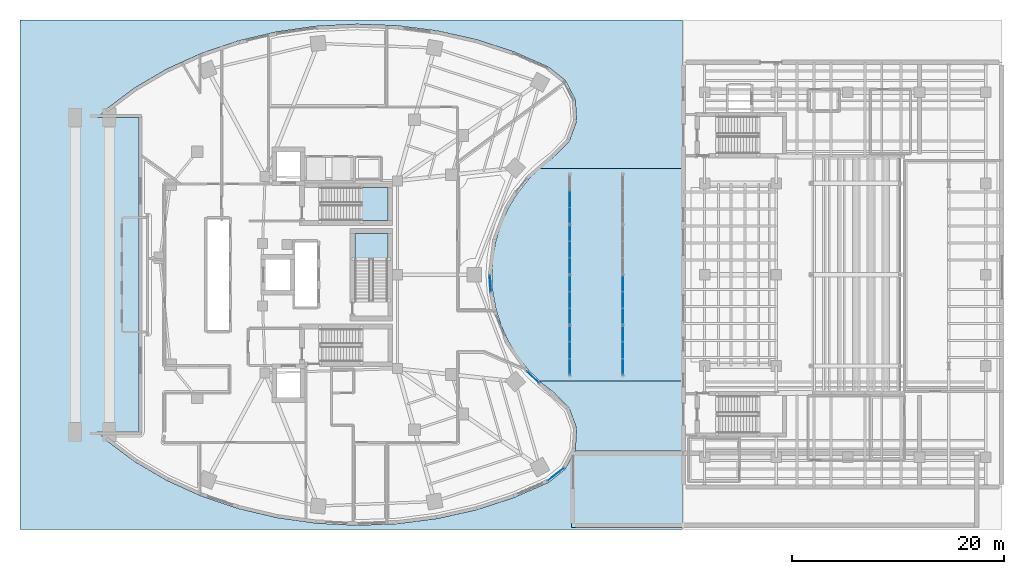
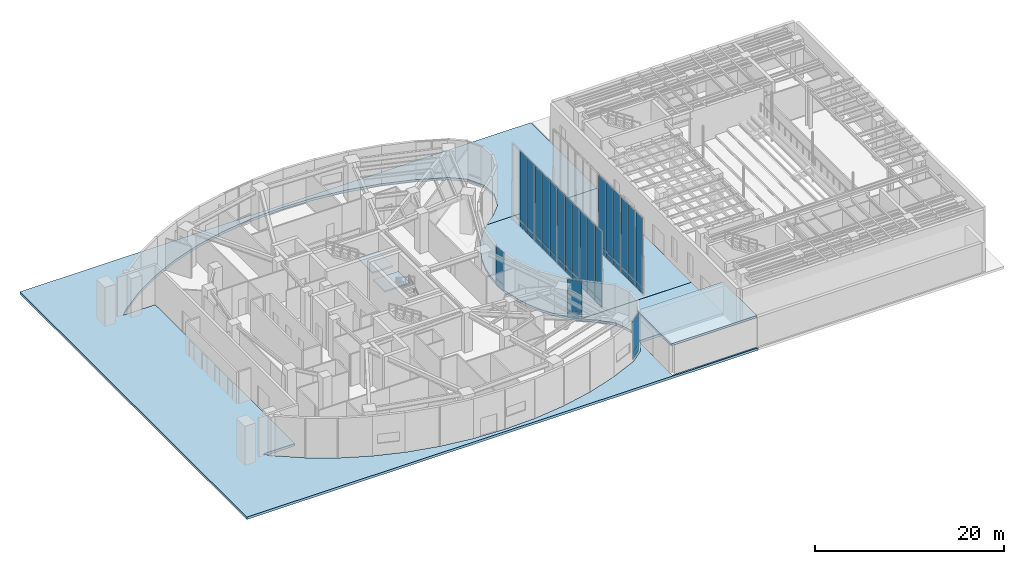
# One storey, part 14 of 28: 40 plates, 6 slabs, 11 elements without a shape of their own.
"""IFC4 building model written with IfcOpenShell, lengths in metres."""

from ifc_helpers import new_model, si_unit, direction, frame, origin, origin_2d, place, context, subcontext, project, spatial, polyline, rectangle, outline, extrude, material, layer, layer_set, type_object, element, aggregate, save


model = new_model("IFC4")

# Units and contexts
model_context = context("Model", 3, precision=1e-05, world=origin(), true_north=direction((0.0, 1.0)))
body_context = subcontext(model_context, "Body", "Model", "MODEL_VIEW")
ifc_project = project(units=[si_unit("LENGTHUNIT", "METRE"), si_unit("AREAUNIT", "SQUARE_METRE"), si_unit("VOLUMEUNIT", "CUBIC_METRE"), si_unit("PLANEANGLEUNIT", "RADIAN"), si_unit("MASSUNIT", "GRAM", prefix="KILO")], contexts=[model_context])

# Site, building, storey
site_placement = place(None, origin())
site = spatial("IfcSite", under=ifc_project, at=site_placement, CompositionType="ELEMENT")
building_placement = place(site_placement, origin())
building = spatial("IfcBuilding", under=site, at=building_placement, Name="Korentha Bioscience Tower", CompositionType="ELEMENT")
storey_placement = place(building_placement, origin())
storey = spatial("IfcBuildingStorey", under=building, at=storey_placement, Name="L00", CompositionType="ELEMENT", Elevation=0.0)

# Curtain wall, plates
ifc_material_1 = material(Name="Stone-Clad Aluminium Frame", Category="masonry")
ifc_layer_1 = layer(ifc_material_1, 0.219970703125, Name="Stone-Clad Aluminium Frame")
ifc_layer_set_1 = layer_set([ifc_layer_1], Name="Stone-Clad Aluminium Frame (CW-P1)")
curtain_wall_type_1 = type_object("IfcCurtainWallType", Name="Podium Double-Height Stone-Mullion Curtain Wall CW-P1", PredefinedType="USERDEFINED", material=ifc_layer_set_1)
curtain_wall_1_placement = place(storey_placement, origin())
curtain_wall_1 = element("IfcCurtainWall", 1, at=curtain_wall_1_placement, inside=storey, type_object=curtain_wall_type_1, Name="L00 Curtain Wall 37", ObjectType="UNITISED", PredefinedType="USERDEFINED")
ifc_material_2 = material(Name="Triple-Glazed Low-E Insulated Glass", Category="glass")
ifc_layer_2 = layer(ifc_material_2, 0.0439453125, Name="Triple-Glazed Low-E Insulated Glass")
ifc_layer_set_2 = layer_set([ifc_layer_2], Name="Triple-Glazed Low-E Insulated Glass (GL-44)")
plate_type = type_object("IfcPlateType", Name="Glazed Panel 44mm", PredefinedType="CURTAIN_PANEL", material=ifc_layer_set_2)
plate_1_placement = place(storey_placement, frame((52.4755859375, 8.19140625, 0.08984375), z_axis=(0.0, 0.0, 1.0), x_axis=(0.782287851332, 0.62291710336, 0.0)))
plate_1 = element("IfcPlate", 2, at=plate_1_placement, type_object=plate_type, Name="CW-L00-37 Bay 1 Glazed Panel 1", PredefinedType="CURTAIN_PANEL", context=body_context, shape_type="SweptSolid", body=[
    extrude(rectangle(XDim=1.927734375, YDim=0.0439453125, at=origin_2d()), origin(), (0.0, 0.0, 1.0), 0.715087890625),
])
plate_2_placement = place(storey_placement, frame((52.4755859375, 8.19140625, 0.89501953125), z_axis=(0.0, 0.0, 1.0), x_axis=(0.782287851332, 0.62291710336, 0.0)))
plate_2 = element("IfcPlate", 3, at=plate_2_placement, type_object=plate_type, Name="CW-L00-37 Bay 1 Glazed Panel 2", PredefinedType="CURTAIN_PANEL", context=body_context, shape_type="SweptSolid", body=[
    extrude(rectangle(XDim=1.927734375, YDim=0.0439453125, at=origin_2d()), origin(), (0.0, 0.0, 1.0), 4.114990234375),
])
aggregate(curtain_wall_1, [plate_1, plate_2])

curtain_wall_2_placement = place(storey_placement, origin())
curtain_wall_2 = element("IfcCurtainWall", 4, at=curtain_wall_2_placement, inside=storey, type_object=curtain_wall_type_1, Name="L00 Curtain Wall 43", ObjectType="UNITISED", PredefinedType="USERDEFINED")
plate_3_placement = place(storey_placement, frame((50.333251953125, 17.335693359375, 0.08984375), z_axis=(0.0, 0.0, 1.0), x_axis=(-0.713279246754, 0.700879958445, 0.0)))
plate_3 = element("IfcPlate", 5, at=plate_3_placement, type_object=plate_type, Name="CW-L00-43 Bay 1 Glazed Panel 1", PredefinedType="CURTAIN_PANEL", context=body_context, shape_type="SweptSolid", body=[
    extrude(rectangle(XDim=1.537841796875, YDim=0.0439453125, at=origin_2d()), origin(), (0.0, 0.0, 1.0), 0.715087890625),
])
plate_4_placement = place(storey_placement, frame((50.333251953125, 17.335693359375, 0.89501953125), z_axis=(0.0, 0.0, 1.0), x_axis=(-0.713279246754, 0.700879958445, 0.0)))
plate_4 = element("IfcPlate", 6, at=plate_4_placement, type_object=plate_type, Name="CW-L00-43 Bay 1 Glazed Panel 2", PredefinedType="CURTAIN_PANEL", context=body_context, shape_type="SweptSolid", body=[
    extrude(rectangle(XDim=1.537841796875, YDim=0.0439453125, at=origin_2d()), origin(), (0.0, 0.0, 1.0), 4.114990234375),
])
aggregate(curtain_wall_2, [plate_3, plate_4])

curtain_wall_3_placement = place(storey_placement, origin())
curtain_wall_3 = element("IfcCurtainWall", 7, at=curtain_wall_3_placement, inside=storey, type_object=curtain_wall_type_1, Name="L00 Curtain Wall 49", ObjectType="UNITISED", PredefinedType="USERDEFINED")
plate_5_placement = place(storey_placement, frame((46.305908203125, 26.1728515625, 0.08984375), z_axis=(0.0, 0.0, 1.0), x_axis=(-0.061008272998, 0.998137260413, 0.0)))
plate_5 = element("IfcPlate", 8, at=plate_5_placement, type_object=plate_type, Name="CW-L00-49 Bay 1 Glazed Panel 1", PredefinedType="CURTAIN_PANEL", context=body_context, shape_type="SweptSolid", body=[
    extrude(rectangle(XDim=1.537841796875, YDim=0.0439453125, at=origin_2d()), origin(), (0.0, 0.0, 1.0), 0.715087890625),
])
plate_6_placement = place(storey_placement, frame((46.305908203125, 26.1728515625, 0.89501953125), z_axis=(0.0, 0.0, 1.0), x_axis=(-0.061008272998, 0.998137260413, 0.0)))
plate_6 = element("IfcPlate", 9, at=plate_6_placement, type_object=plate_type, Name="CW-L00-49 Bay 1 Glazed Panel 2", PredefinedType="CURTAIN_PANEL", context=body_context, shape_type="SweptSolid", body=[
    extrude(rectangle(XDim=1.537841796875, YDim=0.0439453125, at=origin_2d()), origin(), (0.0, 0.0, 1.0), 4.114990234375),
])
aggregate(curtain_wall_3, [plate_5, plate_6])

ifc_material_3 = material(Name="Painted Steel-Aluminium Mullion System", Category="steel")
ifc_layer_3 = layer(ifc_material_3, 0.219970703125, Name="Painted Steel-Aluminium Mullion System")
ifc_layer_set_3 = layer_set([ifc_layer_3], Name="Painted Steel-Aluminium Mullion System (CW-A1)")
curtain_wall_type_2 = type_object("IfcCurtainWallType", Name="Covered Public Arcade Glazed Wall CW-A1", PredefinedType="USERDEFINED", material=ifc_layer_set_3)
curtain_wall_4_placement = place(storey_placement, origin())
curtain_wall_4 = element("IfcCurtainWall", 10, at=curtain_wall_4_placement, inside=storey, type_object=curtain_wall_type_2, Name="Covered Arcade Curtain Wall E-1", ObjectType="ARCADE_GLAZING", PredefinedType="USERDEFINED")
plate_7_placement = place(storey_placement, frame((58.800048828125, 18.314208984375, 0.08984375), z_axis=(0.0, 0.0, 1.0), x_axis=(0.0, 1.0, 0.0)))
plate_7 = element("IfcPlate", 11, at=plate_7_placement, type_object=plate_type, Name="CW-ARC-E-1 Bay 1 Glazed Panel 1", PredefinedType="CURTAIN_PANEL", context=body_context, shape_type="SweptSolid", body=[
    extrude(rectangle(XDim=1.4482421875, YDim=0.0439453125, at=origin_2d()), origin(), (0.0, 0.0, 1.0), 0.715087890625),
])
plate_8_placement = place(storey_placement, frame((58.800048828125, 18.314208984375, 0.89501953125), z_axis=(0.0, 0.0, 1.0), x_axis=(0.0, 1.0, 0.0)))
plate_8 = element("IfcPlate", 12, at=plate_8_placement, type_object=plate_type, Name="CW-ARC-E-1 Bay 1 Glazed Panel 2", PredefinedType="CURTAIN_PANEL", context=body_context, shape_type="SweptSolid", body=[
    extrude(rectangle(XDim=1.4482421875, YDim=0.0439453125, at=origin_2d()), origin(), (0.0, 0.0, 1.0), 8.97509765625),
])
plate_9_placement = place(storey_placement, frame((58.800048828125, 19.875, 0.08984375), z_axis=(0.0, 0.0, 1.0), x_axis=(0.0, 1.0, 0.0)))
plate_9 = element("IfcPlate", 13, at=plate_9_placement, type_object=plate_type, Name="CW-ARC-E-1 Bay 2 Glazed Panel 1", PredefinedType="CURTAIN_PANEL", context=body_context, shape_type="SweptSolid", body=[
    extrude(rectangle(XDim=1.493408203125, YDim=0.0439453125, at=origin_2d()), origin(), (0.0, 0.0, 1.0), 0.715087890625),
])
plate_10_placement = place(storey_placement, frame((58.800048828125, 19.875, 0.89501953125), z_axis=(0.0, 0.0, 1.0), x_axis=(0.0, 1.0, 0.0)))
plate_10 = element("IfcPlate", 14, at=plate_10_placement, type_object=plate_type, Name="CW-ARC-E-1 Bay 2 Glazed Panel 2", PredefinedType="CURTAIN_PANEL", context=body_context, shape_type="SweptSolid", body=[
    extrude(rectangle(XDim=1.493408203125, YDim=0.0439453125, at=origin_2d()), origin(), (0.0, 0.0, 1.0), 8.97509765625),
])
plate_11_placement = place(storey_placement, frame((58.800048828125, 21.435791015625, 0.08984375), z_axis=(0.0, 0.0, 1.0), x_axis=(0.0, 1.0, 0.0)))
plate_11 = element("IfcPlate", 15, at=plate_11_placement, type_object=plate_type, Name="CW-ARC-E-1 Bay 3 Glazed Panel 1", PredefinedType="CURTAIN_PANEL", context=body_context, shape_type="SweptSolid", body=[
    extrude(rectangle(XDim=1.4482421875, YDim=0.0439453125, at=origin_2d()), origin(), (0.0, 0.0, 1.0), 0.715087890625),
])
plate_12_placement = place(storey_placement, frame((58.800048828125, 21.435791015625, 0.89501953125), z_axis=(0.0, 0.0, 1.0), x_axis=(0.0, 1.0, 0.0)))
plate_12 = element("IfcPlate", 16, at=plate_12_placement, type_object=plate_type, Name="CW-ARC-E-1 Bay 3 Glazed Panel 2", PredefinedType="CURTAIN_PANEL", context=body_context, shape_type="SweptSolid", body=[
    extrude(rectangle(XDim=1.4482421875, YDim=0.0439453125, at=origin_2d()), origin(), (0.0, 0.0, 1.0), 8.97509765625),
])
aggregate(curtain_wall_4, [plate_7, plate_8, plate_9, plate_10, plate_11, plate_12])

curtain_wall_5_placement = place(storey_placement, origin())
curtain_wall_5 = element("IfcCurtainWall", 17, at=curtain_wall_5_placement, inside=storey, type_object=curtain_wall_type_2, Name="Covered Arcade Curtain Wall W-1", ObjectType="ARCADE_GLAZING", PredefinedType="USERDEFINED")
plate_13_placement = place(storey_placement, frame((53.800048828125, 18.314208984375, 0.08984375), z_axis=(0.0, 0.0, 1.0), x_axis=(0.0, 1.0, 0.0)))
plate_13 = element("IfcPlate", 18, at=plate_13_placement, type_object=plate_type, Name="CW-ARC-W-1 Bay 1 Glazed Panel 1", PredefinedType="CURTAIN_PANEL", context=body_context, shape_type="SweptSolid", body=[
    extrude(rectangle(XDim=1.4482421875, YDim=0.0439453125, at=origin_2d()), origin(), (0.0, 0.0, 1.0), 0.715087890625),
])
plate_14_placement = place(storey_placement, frame((53.800048828125, 18.314208984375, 0.89501953125), z_axis=(0.0, 0.0, 1.0), x_axis=(0.0, 1.0, 0.0)))
plate_14 = element("IfcPlate", 19, at=plate_14_placement, type_object=plate_type, Name="CW-ARC-W-1 Bay 1 Glazed Panel 2", PredefinedType="CURTAIN_PANEL", context=body_context, shape_type="SweptSolid", body=[
    extrude(rectangle(XDim=1.4482421875, YDim=0.0439453125, at=origin_2d()), origin(), (0.0, 0.0, 1.0), 8.97509765625),
])
plate_15_placement = place(storey_placement, frame((53.800048828125, 19.875, 0.08984375), z_axis=(0.0, 0.0, 1.0), x_axis=(0.0, 1.0, 0.0)))
plate_15 = element("IfcPlate", 20, at=plate_15_placement, type_object=plate_type, Name="CW-ARC-W-1 Bay 2 Glazed Panel 1", PredefinedType="CURTAIN_PANEL", context=body_context, shape_type="SweptSolid", body=[
    extrude(rectangle(XDim=1.493408203125, YDim=0.0439453125, at=origin_2d()), origin(), (0.0, 0.0, 1.0), 0.715087890625),
])
plate_16_placement = place(storey_placement, frame((53.800048828125, 19.875, 0.89501953125), z_axis=(0.0, 0.0, 1.0), x_axis=(0.0, 1.0, 0.0)))
plate_16 = element("IfcPlate", 21, at=plate_16_placement, type_object=plate_type, Name="CW-ARC-W-1 Bay 2 Glazed Panel 2", PredefinedType="CURTAIN_PANEL", context=body_context, shape_type="SweptSolid", body=[
    extrude(rectangle(XDim=1.493408203125, YDim=0.0439453125, at=origin_2d()), origin(), (0.0, 0.0, 1.0), 8.97509765625),
])
plate_17_placement = place(storey_placement, frame((53.800048828125, 21.435791015625, 0.08984375), z_axis=(0.0, 0.0, 1.0), x_axis=(0.0, 1.0, 0.0)))
plate_17 = element("IfcPlate", 22, at=plate_17_placement, type_object=plate_type, Name="CW-ARC-W-1 Bay 3 Glazed Panel 1", PredefinedType="CURTAIN_PANEL", context=body_context, shape_type="SweptSolid", body=[
    extrude(rectangle(XDim=1.4482421875, YDim=0.0439453125, at=origin_2d()), origin(), (0.0, 0.0, 1.0), 0.715087890625),
])
plate_18_placement = place(storey_placement, frame((53.800048828125, 21.435791015625, 0.89501953125), z_axis=(0.0, 0.0, 1.0), x_axis=(0.0, 1.0, 0.0)))
plate_18 = element("IfcPlate", 23, at=plate_18_placement, type_object=plate_type, Name="CW-ARC-W-1 Bay 3 Glazed Panel 2", PredefinedType="CURTAIN_PANEL", context=body_context, shape_type="SweptSolid", body=[
    extrude(rectangle(XDim=1.4482421875, YDim=0.0439453125, at=origin_2d()), origin(), (0.0, 0.0, 1.0), 8.97509765625),
])
aggregate(curtain_wall_5, [plate_13, plate_14, plate_15, plate_16, plate_17, plate_18])

curtain_wall_6_placement = place(storey_placement, origin())
curtain_wall_6 = element("IfcCurtainWall", 24, at=curtain_wall_6_placement, inside=storey, type_object=curtain_wall_type_2, Name="Covered Arcade Curtain Wall E-2", ObjectType="ARCADE_GLAZING", PredefinedType="USERDEFINED")
plate_19_placement = place(storey_placement, frame((58.800048828125, 23.064208984375, 0.08984375), z_axis=(0.0, 0.0, 1.0), x_axis=(0.0, 1.0, 0.0)))
plate_19 = element("IfcPlate", 25, at=plate_19_placement, type_object=plate_type, Name="CW-ARC-E-2 Bay 1 Glazed Panel 1", PredefinedType="CURTAIN_PANEL", context=body_context, shape_type="SweptSolid", body=[
    extrude(rectangle(XDim=1.4482421875, YDim=0.0439453125, at=origin_2d()), origin(), (0.0, 0.0, 1.0), 0.715087890625),
])
plate_20_placement = place(storey_placement, frame((58.800048828125, 23.064208984375, 0.89501953125), z_axis=(0.0, 0.0, 1.0), x_axis=(0.0, 1.0, 0.0)))
plate_20 = element("IfcPlate", 26, at=plate_20_placement, type_object=plate_type, Name="CW-ARC-E-2 Bay 1 Glazed Panel 2", PredefinedType="CURTAIN_PANEL", context=body_context, shape_type="SweptSolid", body=[
    extrude(rectangle(XDim=1.4482421875, YDim=0.0439453125, at=origin_2d()), origin(), (0.0, 0.0, 1.0), 8.97509765625),
])
plate_21_placement = place(storey_placement, frame((58.800048828125, 24.625, 0.08984375), z_axis=(0.0, 0.0, 1.0), x_axis=(0.0, 1.0, 0.0)))
plate_21 = element("IfcPlate", 27, at=plate_21_placement, type_object=plate_type, Name="CW-ARC-E-2 Bay 2 Glazed Panel 1", PredefinedType="CURTAIN_PANEL", context=body_context, shape_type="SweptSolid", body=[
    extrude(rectangle(XDim=1.493408203125, YDim=0.0439453125, at=origin_2d()), origin(), (0.0, 0.0, 1.0), 0.715087890625),
])
plate_22_placement = place(storey_placement, frame((58.800048828125, 24.625, 0.89501953125), z_axis=(0.0, 0.0, 1.0), x_axis=(0.0, 1.0, 0.0)))
plate_22 = element("IfcPlate", 28, at=plate_22_placement, type_object=plate_type, Name="CW-ARC-E-2 Bay 2 Glazed Panel 2", PredefinedType="CURTAIN_PANEL", context=body_context, shape_type="SweptSolid", body=[
    extrude(rectangle(XDim=1.493408203125, YDim=0.0439453125, at=origin_2d()), origin(), (0.0, 0.0, 1.0), 8.97509765625),
])
plate_23_placement = place(storey_placement, frame((58.800048828125, 26.185791015625, 0.08984375), z_axis=(0.0, 0.0, 1.0), x_axis=(0.0, 1.0, 0.0)))
plate_23 = element("IfcPlate", 29, at=plate_23_placement, type_object=plate_type, Name="CW-ARC-E-2 Bay 3 Glazed Panel 1", PredefinedType="CURTAIN_PANEL", context=body_context, shape_type="SweptSolid", body=[
    extrude(rectangle(XDim=1.4482421875, YDim=0.0439453125, at=origin_2d()), origin(), (0.0, 0.0, 1.0), 0.715087890625),
])
plate_24_placement = place(storey_placement, frame((58.800048828125, 26.185791015625, 0.89501953125), z_axis=(0.0, 0.0, 1.0), x_axis=(0.0, 1.0, 0.0)))
plate_24 = element("IfcPlate", 30, at=plate_24_placement, type_object=plate_type, Name="CW-ARC-E-2 Bay 3 Glazed Panel 2", PredefinedType="CURTAIN_PANEL", context=body_context, shape_type="SweptSolid", body=[
    extrude(rectangle(XDim=1.4482421875, YDim=0.0439453125, at=origin_2d()), origin(), (0.0, 0.0, 1.0), 8.97509765625),
])
aggregate(curtain_wall_6, [plate_19, plate_20, plate_21, plate_22, plate_23, plate_24])

curtain_wall_7_placement = place(storey_placement, origin())
curtain_wall_7 = element("IfcCurtainWall", 31, at=curtain_wall_7_placement, inside=storey, type_object=curtain_wall_type_2, Name="Covered Arcade Curtain Wall W-2", ObjectType="ARCADE_GLAZING", PredefinedType="USERDEFINED")
plate_25_placement = place(storey_placement, frame((53.800048828125, 23.064208984375, 0.08984375), z_axis=(0.0, 0.0, 1.0), x_axis=(0.0, 1.0, 0.0)))
plate_25 = element("IfcPlate", 32, at=plate_25_placement, type_object=plate_type, Name="CW-ARC-W-2 Bay 1 Glazed Panel 1", PredefinedType="CURTAIN_PANEL", context=body_context, shape_type="SweptSolid", body=[
    extrude(rectangle(XDim=1.4482421875, YDim=0.0439453125, at=origin_2d()), origin(), (0.0, 0.0, 1.0), 0.715087890625),
])
plate_26_placement = place(storey_placement, frame((53.800048828125, 23.064208984375, 0.89501953125), z_axis=(0.0, 0.0, 1.0), x_axis=(0.0, 1.0, 0.0)))
plate_26 = element("IfcPlate", 33, at=plate_26_placement, type_object=plate_type, Name="CW-ARC-W-2 Bay 1 Glazed Panel 2", PredefinedType="CURTAIN_PANEL", context=body_context, shape_type="SweptSolid", body=[
    extrude(rectangle(XDim=1.4482421875, YDim=0.0439453125, at=origin_2d()), origin(), (0.0, 0.0, 1.0), 8.97509765625),
])
plate_27_placement = place(storey_placement, frame((53.800048828125, 24.625, 0.08984375), z_axis=(0.0, 0.0, 1.0), x_axis=(0.0, 1.0, 0.0)))
plate_27 = element("IfcPlate", 34, at=plate_27_placement, type_object=plate_type, Name="CW-ARC-W-2 Bay 2 Glazed Panel 1", PredefinedType="CURTAIN_PANEL", context=body_context, shape_type="SweptSolid", body=[
    extrude(rectangle(XDim=1.493408203125, YDim=0.0439453125, at=origin_2d()), origin(), (0.0, 0.0, 1.0), 0.715087890625),
])
plate_28_placement = place(storey_placement, frame((53.800048828125, 24.625, 0.89501953125), z_axis=(0.0, 0.0, 1.0), x_axis=(0.0, 1.0, 0.0)))
plate_28 = element("IfcPlate", 35, at=plate_28_placement, type_object=plate_type, Name="CW-ARC-W-2 Bay 2 Glazed Panel 2", PredefinedType="CURTAIN_PANEL", context=body_context, shape_type="SweptSolid", body=[
    extrude(rectangle(XDim=1.493408203125, YDim=0.0439453125, at=origin_2d()), origin(), (0.0, 0.0, 1.0), 8.97509765625),
])
plate_29_placement = place(storey_placement, frame((53.800048828125, 26.185791015625, 0.08984375), z_axis=(0.0, 0.0, 1.0), x_axis=(0.0, 1.0, 0.0)))
plate_29 = element("IfcPlate", 36, at=plate_29_placement, type_object=plate_type, Name="CW-ARC-W-2 Bay 3 Glazed Panel 1", PredefinedType="CURTAIN_PANEL", context=body_context, shape_type="SweptSolid", body=[
    extrude(rectangle(XDim=1.4482421875, YDim=0.0439453125, at=origin_2d()), origin(), (0.0, 0.0, 1.0), 0.715087890625),
])
plate_30_placement = place(storey_placement, frame((53.800048828125, 26.185791015625, 0.89501953125), z_axis=(0.0, 0.0, 1.0), x_axis=(0.0, 1.0, 0.0)))
plate_30 = element("IfcPlate", 37, at=plate_30_placement, type_object=plate_type, Name="CW-ARC-W-2 Bay 3 Glazed Panel 2", PredefinedType="CURTAIN_PANEL", context=body_context, shape_type="SweptSolid", body=[
    extrude(rectangle(XDim=1.4482421875, YDim=0.0439453125, at=origin_2d()), origin(), (0.0, 0.0, 1.0), 8.97509765625),
])
aggregate(curtain_wall_7, [plate_25, plate_26, plate_27, plate_28, plate_29, plate_30])

curtain_wall_8_placement = place(storey_placement, origin())
curtain_wall_8 = element("IfcCurtainWall", 38, at=curtain_wall_8_placement, inside=storey, type_object=curtain_wall_type_2, Name="Covered Arcade Curtain Wall W-3", ObjectType="ARCADE_GLAZING", PredefinedType="USERDEFINED")
plate_31_placement = place(storey_placement, frame((53.800048828125, 27.814208984375, 0.08984375), z_axis=(0.0, 0.0, 1.0), x_axis=(0.0, 1.0, 0.0)))
plate_31 = element("IfcPlate", 39, at=plate_31_placement, type_object=plate_type, Name="CW-ARC-W-3 Bay 1 Glazed Panel 1", PredefinedType="CURTAIN_PANEL", context=body_context, shape_type="SweptSolid", body=[
    extrude(rectangle(XDim=1.4482421875, YDim=0.0439453125, at=origin_2d()), origin(), (0.0, 0.0, 1.0), 0.715087890625),
])
plate_32_placement = place(storey_placement, frame((53.800048828125, 27.814208984375, 0.89501953125), z_axis=(0.0, 0.0, 1.0), x_axis=(0.0, 1.0, 0.0)))
plate_32 = element("IfcPlate", 40, at=plate_32_placement, type_object=plate_type, Name="CW-ARC-W-3 Bay 1 Glazed Panel 2", PredefinedType="CURTAIN_PANEL", context=body_context, shape_type="SweptSolid", body=[
    extrude(rectangle(XDim=1.4482421875, YDim=0.0439453125, at=origin_2d()), origin(), (0.0, 0.0, 1.0), 8.97509765625),
])
plate_33_placement = place(storey_placement, frame((53.800048828125, 29.375, 0.08984375), z_axis=(0.0, 0.0, 1.0), x_axis=(0.0, 1.0, 0.0)))
plate_33 = element("IfcPlate", 41, at=plate_33_placement, type_object=plate_type, Name="CW-ARC-W-3 Bay 2 Glazed Panel 1", PredefinedType="CURTAIN_PANEL", context=body_context, shape_type="SweptSolid", body=[
    extrude(rectangle(XDim=1.493408203125, YDim=0.0439453125, at=origin_2d()), origin(), (0.0, 0.0, 1.0), 0.715087890625),
])
plate_34_placement = place(storey_placement, frame((53.800048828125, 29.375, 0.89501953125), z_axis=(0.0, 0.0, 1.0), x_axis=(0.0, 1.0, 0.0)))
plate_34 = element("IfcPlate", 42, at=plate_34_placement, type_object=plate_type, Name="CW-ARC-W-3 Bay 2 Glazed Panel 2", PredefinedType="CURTAIN_PANEL", context=body_context, shape_type="SweptSolid", body=[
    extrude(rectangle(XDim=1.493408203125, YDim=0.0439453125, at=origin_2d()), origin(), (0.0, 0.0, 1.0), 8.97509765625),
])
plate_35_placement = place(storey_placement, frame((53.800048828125, 30.935791015625, 0.08984375), z_axis=(0.0, 0.0, 1.0), x_axis=(0.0, 1.0, 0.0)))
plate_35 = element("IfcPlate", 43, at=plate_35_placement, type_object=plate_type, Name="CW-ARC-W-3 Bay 3 Glazed Panel 1", PredefinedType="CURTAIN_PANEL", context=body_context, shape_type="SweptSolid", body=[
    extrude(rectangle(XDim=1.4482421875, YDim=0.0439453125, at=origin_2d()), origin(), (0.0, 0.0, 1.0), 0.715087890625),
])
plate_36_placement = place(storey_placement, frame((53.800048828125, 30.935791015625, 0.89501953125), z_axis=(0.0, 0.0, 1.0), x_axis=(0.0, 1.0, 0.0)))
plate_36 = element("IfcPlate", 44, at=plate_36_placement, type_object=plate_type, Name="CW-ARC-W-3 Bay 3 Glazed Panel 2", PredefinedType="CURTAIN_PANEL", context=body_context, shape_type="SweptSolid", body=[
    extrude(rectangle(XDim=1.4482421875, YDim=0.0439453125, at=origin_2d()), origin(), (0.0, 0.0, 1.0), 8.97509765625),
])
aggregate(curtain_wall_8, [plate_31, plate_32, plate_33, plate_34, plate_35, plate_36])

curtain_wall_9_placement = place(storey_placement, origin())
curtain_wall_9 = element("IfcCurtainWall", 45, at=curtain_wall_9_placement, inside=storey, type_object=curtain_wall_type_2, Name="Covered Arcade Curtain Wall W-4", ObjectType="ARCADE_GLAZING", PredefinedType="USERDEFINED")
plate_37_placement = place(storey_placement, frame((53.800048828125, 32.564208984375, 0.08984375), z_axis=(0.0, 0.0, 1.0), x_axis=(0.0, 1.0, 0.0)))
plate_37 = element("IfcPlate", 46, at=plate_37_placement, type_object=plate_type, Name="CW-ARC-W-4 Bay 1 Glazed Panel 1", PredefinedType="CURTAIN_PANEL", context=body_context, shape_type="SweptSolid", body=[
    extrude(rectangle(XDim=1.4482421875, YDim=0.0439453125, at=origin_2d()), origin(), (0.0, 0.0, 1.0), 0.715087890625),
])
plate_38_placement = place(storey_placement, frame((53.800048828125, 32.564208984375, 0.89501953125), z_axis=(0.0, 0.0, 1.0), x_axis=(0.0, 1.0, 0.0)))
plate_38 = element("IfcPlate", 47, at=plate_38_placement, type_object=plate_type, Name="CW-ARC-W-4 Bay 1 Glazed Panel 2", PredefinedType="CURTAIN_PANEL", context=body_context, shape_type="SweptSolid", body=[
    extrude(rectangle(XDim=1.4482421875, YDim=0.0439453125, at=origin_2d()), origin(), (0.0, 0.0, 1.0), 8.97509765625),
])
plate_39_placement = place(storey_placement, frame((53.800048828125, 34.125, 0.08984375), z_axis=(0.0, 0.0, 1.0), x_axis=(0.0, 1.0, 0.0)))
plate_39 = element("IfcPlate", 48, at=plate_39_placement, type_object=plate_type, Name="CW-ARC-W-4 Bay 2 Glazed Panel 1", PredefinedType="CURTAIN_PANEL", context=body_context, shape_type="SweptSolid", body=[
    extrude(rectangle(XDim=1.493408203125, YDim=0.0439453125, at=origin_2d()), origin(), (0.0, 0.0, 1.0), 0.715087890625),
])
plate_40_placement = place(storey_placement, frame((53.800048828125, 34.125, 0.89501953125), z_axis=(0.0, 0.0, 1.0), x_axis=(0.0, 1.0, 0.0)))
plate_40 = element("IfcPlate", 49, at=plate_40_placement, type_object=plate_type, Name="CW-ARC-W-4 Bay 2 Glazed Panel 2", PredefinedType="CURTAIN_PANEL", context=body_context, shape_type="SweptSolid", body=[
    extrude(rectangle(XDim=1.493408203125, YDim=0.0439453125, at=origin_2d()), origin(), (0.0, 0.0, 1.0), 8.97509765625),
])
aggregate(curtain_wall_9, [plate_37, plate_38, plate_39, plate_40])

# Stair, slab
ifc_material_4 = material(Name="Precast Concrete C50", Category="concrete")
stair_type = type_object("IfcStairType", Name="Core Exit Dog-Leg Stair 1450", PredefinedType="HALF_TURN_STAIR", material=ifc_material_4)
stair_1_placement = place(storey_placement, origin())
stair_1 = element("IfcStair", 50, at=stair_1_placement, inside=storey, type_object=stair_type, Name="L00 Tower North Pressurized Exit Stair ST-1", PredefinedType="HALF_TURN_STAIR")
ifc_material_5 = material(Name="Concrete C50", Category="concrete")
ifc_layer_4 = layer(ifc_material_5, 0.199951171875, Name="Concrete C50")
ifc_layer_set_4 = layer_set([ifc_layer_4], Name="Concrete C50 (SL-LND)")
slab_type_1 = type_object("IfcSlabType", Name="Landing Slab 200", PredefinedType="LANDING", material=ifc_layer_set_4)
slab_1_placement = place(storey_placement, frame((0.0, 0.0, 2.5)))
slab_1 = element("IfcSlab", 51, at=slab_1_placement, type_object=slab_type_1, Name="ST-1 landing 1", PredefinedType="LANDING", context=body_context, shape_type="SweptSolid", body=[
    extrude(outline(polyline([(34.169921875, 32.10009765625), (36.64990234375, 32.10009765625), (36.64990234375, 35.199951171875), (34.169921875, 35.199951171875), (34.169921875, 32.10009765625)])), origin(), (0.0, 0.0, 1.0), 0.199951171875),
])
aggregate(stair_1, [slab_1])

stair_2_placement = place(storey_placement, origin())
stair_2 = element("IfcStair", 52, at=stair_2_placement, inside=storey, type_object=stair_type, Name="L00 Tower Central Pressurized Exit Stair ST-3", PredefinedType="HALF_TURN_STAIR")
slab_2_placement = place(storey_placement, frame((0.0, 0.0, 2.5)))
slab_2 = element("IfcSlab", 53, at=slab_2_placement, type_object=slab_type_1, Name="ST-3 landing 1", PredefinedType="LANDING", context=body_context, shape_type="SweptSolid", body=[
    extrude(outline(polyline([(36.64990234375, 28.469970703125), (36.64990234375, 30.89990234375), (33.550048828125, 30.89990234375), (33.550048828125, 28.469970703125), (36.64990234375, 28.469970703125)])), origin(), (0.0, 0.0, 1.0), 0.199951171875),
])
aggregate(stair_2, [slab_2])

# Slabs
ifc_layer_5 = layer(ifc_material_5, 0.320068359375, Name="Concrete C50")
ifc_layer_set_5 = layer_set([ifc_layer_5], Name="Concrete C50 (SL-P320)")
slab_type_2 = type_object("IfcSlabType", Name="Podium Ground Structural Slab 320", PredefinedType="FLOOR", material=ifc_layer_set_5)
slab_3_placement = place(storey_placement, frame((0.0, 0.0, -0.320068359375)))
element("IfcSlab", 54, at=slab_3_placement, inside=storey, type_object=slab_type_2, Name="L00 Covered Public Arcade Floor Slab", PredefinedType="FLOOR", context=body_context, shape_type="SweptSolid", body=[
    extrude(outline(polyline([(50.946044921875, 37.0), (49.883544921875, 35.9560546875), (48.8662109375, 34.67724609375), (48.012451171875, 33.28369140625), (47.334716796875, 31.796630859375), (46.843505859375, 30.238037109375), (46.54541015625, 28.631103515625), (46.44580078125, 27.0), (46.54541015625, 25.368896484375), (46.843505859375, 23.761962890625), (47.334716796875, 22.203369140625), (48.012451171875, 20.71630859375), (48.8662109375, 19.32275390625), (49.883544921875, 18.0439453125), (50.946044921875, 17.0), (64.419921875, 17.0), (64.419921875, 37.0), (50.946044921875, 37.0)])), origin(), (0.0, 0.0, 1.0), 0.320068359375),
])
ifc_layer_6 = layer(ifc_material_5, 0.320068359375, Name="Concrete C50")
ifc_layer_set_6 = layer_set([ifc_layer_6], Name="Concrete C50 (PV-250)")
slab_type_3 = type_object("IfcSlabType", Name="Public Plaza Paving Slab 250", PredefinedType="USERDEFINED", material=ifc_layer_set_6)
slab_4_placement = place(storey_placement, frame((0.0, 0.0, -0.320068359375)))
element("IfcSlab", 55, at=slab_4_placement, inside=storey, type_object=slab_type_3, Name="Ground Level Public Plaza and Forecourt Deck 2", ObjectType="PAVING", PredefinedType="USERDEFINED", context=body_context, shape_type="SweptSolid", body=[
    extrude(outline(polyline([(64.419921875, 3.0), (64.419921875, 3.19189453125), (54.10009765625, 3.19189453125), (54.09912109375, 3.19189453125), (54.098388671875, 3.192138671875), (54.09765625, 3.1923828125), (54.096923828125, 3.192626953125), (54.09619140625, 3.19287109375), (54.095703125, 3.193359375), (54.094970703125, 3.19384765625), (54.09423828125, 3.1943359375), (54.09375, 3.19482421875), (54.09326171875, 3.195556640625), (54.093017578125, 3.1962890625), (54.092529296875, 3.197021484375), (54.09228515625, 3.19775390625), (54.09228515625, 3.198486328125), (54.092041015625, 3.19921875), (54.092041015625, 3.199951171875), (54.092041015625, 10.0654296875), (53.37548828125, 8.694091796875), (53.375244140625, 8.693359375), (53.374755859375, 8.692626953125), (53.3740234375, 8.692138671875), (53.37353515625, 8.69140625), (51.787353515625, 7.428466796875), (51.78662109375, 7.427978515625), (51.7861328125, 7.427734375), (51.785400390625, 7.427490234375), (48.4951171875, 5.98583984375), (48.494384765625, 5.985595703125), (44.99462890625, 4.84716796875), (44.993896484375, 4.846923828125), (41.335205078125, 4.0283203125), (41.334716796875, 4.0283203125), (37.5703125, 3.541259765625), (37.569580078125, 3.541015625), (33.753662109375, 3.392578125), (33.7529296875, 3.392578125), (29.940673828125, 3.5849609375), (29.93994140625, 3.585205078125), (26.186279296875, 4.115478515625), (26.185546875, 4.115478515625), (22.54443359375, 4.97607421875), (22.543701171875, 4.976318359375), (19.068115234375, 6.15478515625), (19.0673828125, 6.155029296875), (15.8076171875, 7.634521484375), (15.806884765625, 7.635009765625), (12.8095703125, 9.393798828125), (12.80859375, 9.394287109375), (10.1171875, 11.4072265625), (10.116455078125, 11.40771484375), (9.2919921875, 12.194091796875), (9.29150390625, 12.19482421875), (9.291015625, 12.1953125), (9.29052734375, 12.196044921875), (9.2900390625, 12.19677734375), (9.289794921875, 12.197509765625), (9.28955078125, 12.1982421875), (9.28955078125, 12.19921875), (9.289306640625, 12.199951171875), (9.28955078125, 12.20068359375), (9.28955078125, 12.201416015625), (9.289794921875, 12.2021484375), (9.2900390625, 12.202880859375), (9.290283203125, 12.20361328125), (9.290771484375, 12.204345703125), (9.291259765625, 12.205078125), (9.291748046875, 12.20556640625), (9.292236328125, 12.2060546875), (9.29296875, 12.20654296875), (9.293701171875, 12.20703125), (9.29443359375, 12.20751953125), (9.295166015625, 12.20751953125), (9.2958984375, 12.207763671875), (9.296630859375, 12.2080078125), (9.29736328125, 12.2080078125), (13.19189453125, 12.2080078125), (13.19189453125, 41.7919921875), (9.29736328125, 41.7919921875), (9.296630859375, 41.7919921875), (9.2958984375, 41.792236328125), (9.295166015625, 41.79248046875), (9.29443359375, 41.79248046875), (9.293701171875, 41.79296875), (9.29296875, 41.79345703125), (9.292236328125, 41.7939453125), (9.291748046875, 41.79443359375), (9.291259765625, 41.794921875), (9.290771484375, 41.795654296875), (9.290283203125, 41.79638671875), (9.2900390625, 41.797119140625), (9.289794921875, 41.7978515625), (9.28955078125, 41.798583984375), (9.28955078125, 41.79931640625), (9.289306640625, 41.800048828125), (9.28955078125, 41.80078125), (9.28955078125, 41.8017578125), (9.289794921875, 41.802490234375), (9.2900390625, 41.80322265625), (9.29052734375, 41.803955078125), (9.291015625, 41.8046875), (9.29150390625, 41.80517578125), (9.2919921875, 41.805908203125), (10.116455078125, 42.59228515625), (10.1171875, 42.5927734375), (12.80859375, 44.605712890625), (12.8095703125, 44.606201171875), (15.806884765625, 46.364990234375), (15.8076171875, 46.365478515625), (19.0673828125, 47.844970703125), (19.068115234375, 47.84521484375), (22.543701171875, 49.023681640625), (22.54443359375, 49.02392578125), (26.185546875, 49.884521484375), (26.186279296875, 49.884521484375), (29.93994140625, 50.414794921875), (29.940673828125, 50.4150390625), (33.7529296875, 50.607421875), (33.753662109375, 50.607421875), (37.569580078125, 50.458984375), (37.5703125, 50.458740234375), (41.334716796875, 49.9716796875), (41.335205078125, 49.9716796875), (44.993896484375, 49.153076171875), (44.99462890625, 49.15283203125), (48.494384765625, 48.014404296875), (48.4951171875, 48.01416015625), (51.785400390625, 46.572509765625), (51.7861328125, 46.572265625), (51.78662109375, 46.572021484375), (51.787353515625, 46.571533203125), (53.37353515625, 45.30859375), (53.3740234375, 45.307861328125), (53.374755859375, 45.307373046875), (53.375244140625, 45.306640625), (53.37548828125, 45.305908203125), (54.314453125, 43.5087890625), (54.314697265625, 43.5078125), (54.315185546875, 43.507080078125), (54.315185546875, 43.50634765625), (54.3154296875, 43.505615234375), (54.4462890625, 41.482177734375), (54.4462890625, 41.481201171875), (54.4462890625, 41.48046875), (54.4462890625, 41.4794921875), (54.44580078125, 41.478759765625), (53.74658203125, 39.57568359375), (53.74609375, 39.574951171875), (53.745849609375, 39.57421875), (53.745361328125, 39.573486328125), (53.74462890625, 39.57275390625), (52.334716796875, 38.11572265625), (52.334228515625, 38.115234375), (52.333984375, 38.114990234375), (51.034912109375, 37.1181640625), (50.9228515625, 37.008056640625), (64.419921875, 37.008056640625), (64.419921875, 51.0), (2.0, 51.0), (2.0, 3.0), (64.419921875, 3.0)])), origin(), (0.0, 0.0, 1.0), 0.320068359375),
])
slab_5_placement = place(storey_placement, frame((0.0, 0.0, -0.320068359375)))
element("IfcSlab", 56, at=slab_5_placement, inside=storey, type_object=slab_type_3, Name="Ground Level Public Plaza and Forecourt Deck 4", ObjectType="PAVING", PredefinedType="USERDEFINED", context=body_context, shape_type="SweptSolid", body=[
    extrude(outline(polyline([(64.419921875, 10.407958984375), (64.419921875, 16.991943359375), (50.9228515625, 16.991943359375), (51.034912109375, 16.8818359375), (52.333984375, 15.885009765625), (52.334228515625, 15.884765625), (52.334716796875, 15.88427734375), (53.74462890625, 14.42724609375), (53.745361328125, 14.426513671875), (53.745849609375, 14.42578125), (53.74609375, 14.425048828125), (53.74658203125, 14.42431640625), (54.44580078125, 12.521240234375), (54.4462890625, 12.5205078125), (54.4462890625, 12.51953125), (54.4462890625, 12.518798828125), (54.4462890625, 12.517822265625), (54.3154296875, 10.494384765625), (54.315185546875, 10.49365234375), (54.315185546875, 10.492919921875), (54.314697265625, 10.4921875), (54.314453125, 10.4912109375), (54.27099609375, 10.407958984375), (64.419921875, 10.407958984375)])), origin(), (0.0, 0.0, 1.0), 0.320068359375),
])
ifc_layer_7 = layer(ifc_material_5, 0.239990234375, Name="Concrete C50")
ifc_layer_set_7 = layer_set([ifc_layer_7], Name="Concrete C50 (RF-H240)")
slab_type_4 = type_object("IfcSlabType", Name="Roof Access Headhouse Roof Slab 240", PredefinedType="ROOF", material=ifc_layer_set_7)
slab_6_placement = place(storey_placement, frame((0.0, 0.0, 3.800048828125)))
element("IfcSlab", 57, at=slab_6_placement, inside=storey, type_object=slab_type_4, Name="L00 Car-Park Portal West Canopy Roof Slab", PredefinedType="ROOF", context=body_context, shape_type="SweptSolid", body=[
    extrude(outline(polyline([(53.949951171875, 3.199951171875), (64.419921875, 3.199951171875), (64.419921875, 10.39990234375), (53.949951171875, 10.39990234375), (53.949951171875, 3.199951171875)])), origin(), (0.0, 0.0, 1.0), 0.239990234375),
])

save(model, "model.ifc")
